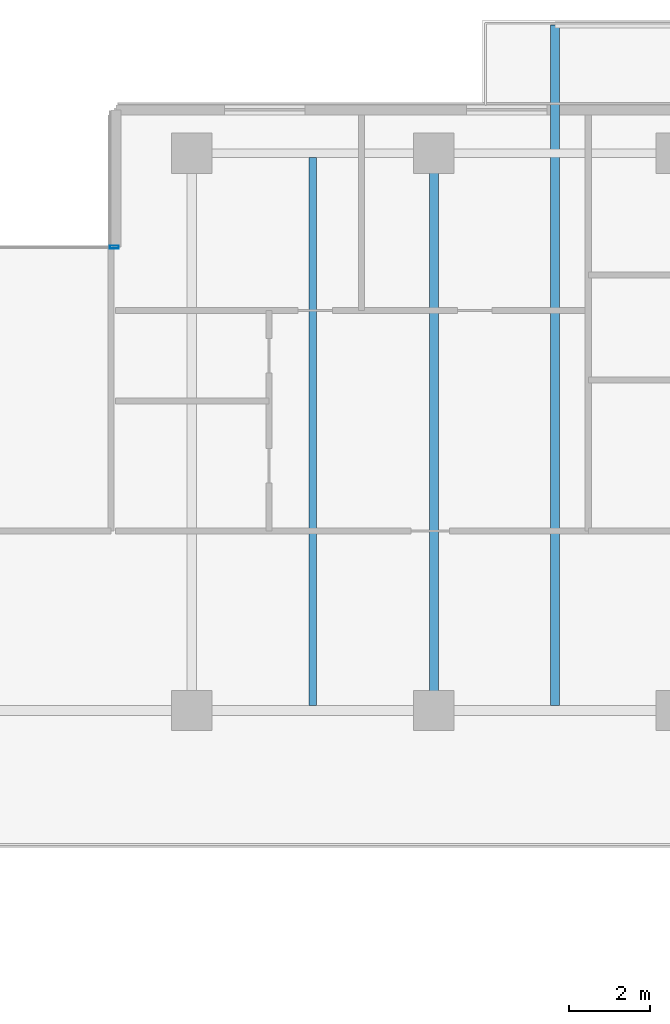
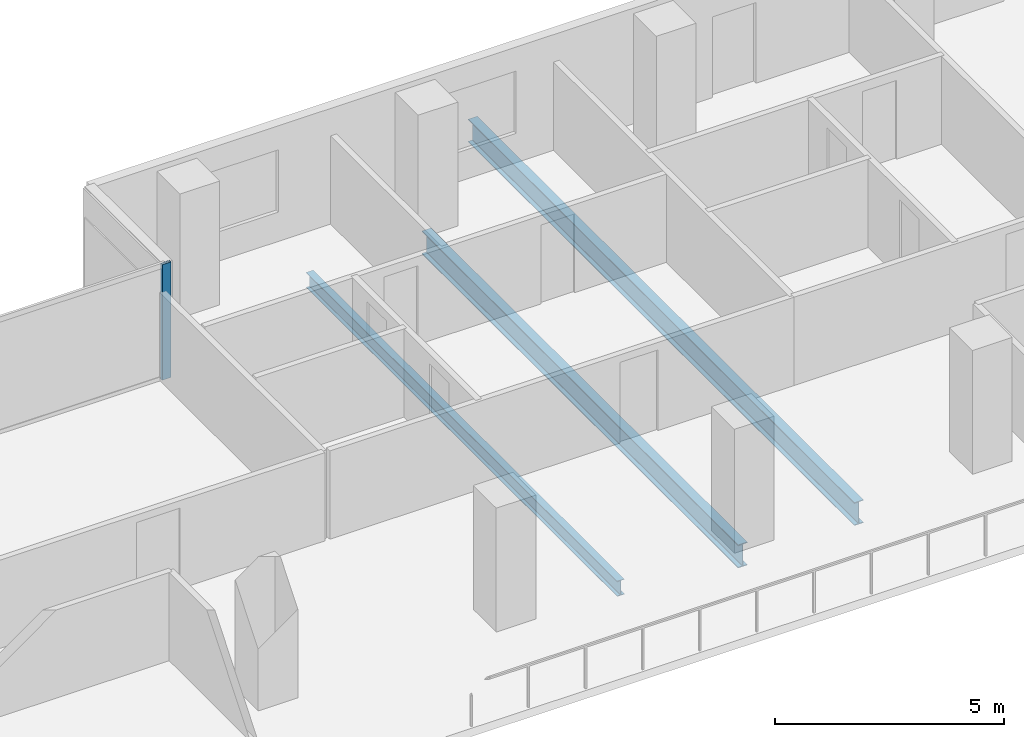
# One storey, part 8 of 23: 3 beams, 1 member, 1 element without a shape of its own.
"""IFC4 building model written with IfcOpenShell, lengths in metres."""

from ifc_helpers import new_model, si_unit, direction, frame, origin, origin_2d, place, context, subcontext, project, spatial, hollow_rectangle, i_section, extrude, material, layer, layer_set, material_profile, profile_set, type_object, element, aggregate, save


model = new_model("IFC4")

# Units and contexts
model_context = context("Model", 3, precision=1e-05, world=origin(), true_north=direction((0.0, 1.0)))
body_context = subcontext(model_context, "Body", "Model", "MODEL_VIEW")
ifc_project = project(units=[si_unit("LENGTHUNIT", "METRE"), si_unit("AREAUNIT", "SQUARE_METRE"), si_unit("VOLUMEUNIT", "CUBIC_METRE"), si_unit("PLANEANGLEUNIT", "RADIAN"), si_unit("MASSUNIT", "GRAM", prefix="KILO")], contexts=[model_context])

# Site, building, storey
site_placement = place(None, origin())
site = spatial("IfcSite", under=ifc_project, at=site_placement, CompositionType="ELEMENT")
building_placement = place(site_placement, origin())
building = spatial("IfcBuilding", under=site, at=building_placement, Name="Tanjung Sevakor Pilgrim Tower", CompositionType="ELEMENT")
storey_placement = place(building_placement, frame((0.0, 0.0, 85.469970703125)))
storey = spatial("IfcBuildingStorey", under=building, at=storey_placement, Name="L23", CompositionType="ELEMENT", Elevation=85.469970703125)

# Beams
ifc_material_1 = material(Name="Steel S355J2", Category="steel")
ifc_material_profile_1 = material_profile(ifc_material_1, i_section(OverallWidth=0.230224609375, OverallDepth=0.6171875, WebThickness=0.01318359375, FlangeThickness=0.022216796875, FilletRadius=0.0126953125, at=origin_2d()))
ifc_profile_set_1 = profile_set([ifc_material_profile_1], Name="Steel S355J2")
beam_type_1 = type_object("IfcBeamType", Name="BM-B-G3-UB_610x229x140", PredefinedType="BEAM", material=ifc_profile_set_1)
beam_1_placement = place(storey_placement, frame((60.0, 42.60009765625, -0.528564453125), z_axis=(0.0, 1.0, 0.0), x_axis=(-1.0, 0.0, 0.0)))
element("IfcBeam", 1, at=beam_1_placement, inside=storey, type_object=beam_type_1, Name="L23 MAIN Girder 017", PredefinedType="BEAM", context=body_context, shape_type="SweptSolid", body=[
    extrude(i_section(OverallWidth=0.230224609375, OverallDepth=0.6171875, WebThickness=0.01318359375, FlangeThickness=0.022216796875, FilletRadius=0.0126953125, at=origin_2d()), origin(), (0.0, 0.0, 1.0), 13.7998046875),
])
ifc_material_2 = material(Name="Steel S355J2", Category="steel")
ifc_material_profile_2 = material_profile(ifc_material_2, i_section(OverallWidth=0.22900390625, OverallDepth=0.6123046875, WebThickness=0.011962890625, FlangeThickness=0.01953125, FilletRadius=0.0126953125, at=origin_2d()))
ifc_profile_set_2 = profile_set([ifc_material_profile_2], Name="Steel S355J2")
beam_type_2 = type_object("IfcBeamType", Name="BM-B-G4-UB_610x229x125", PredefinedType="BEAM", material=ifc_profile_set_2)
beam_2_placement = place(storey_placement, frame((63.0, 42.727294921875, -0.526123046875), z_axis=(0.0, 1.0, 0.0), x_axis=(-1.0, 0.0, 0.0)))
element("IfcBeam", 2, at=beam_2_placement, inside=storey, type_object=beam_type_2, Name="L23 Balcony Cantilever Beam MAIN-N2-1", PredefinedType="BEAM", context=body_context, shape_type="SweptSolid", body=[
    extrude(i_section(OverallWidth=0.22900390625, OverallDepth=0.6123046875, WebThickness=0.011962890625, FlangeThickness=0.01953125, FilletRadius=0.0126953125, at=origin_2d()), origin(), (0.0, 0.0, 1.0), 16.852783203125),
])
ifc_material_3 = material(Name="Steel S355J2", Category="steel")
ifc_material_profile_3 = material_profile(ifc_material_3, i_section(OverallWidth=0.1787109375, OverallDepth=0.409423828125, WebThickness=0.0087890625, FlangeThickness=0.014404296875, FilletRadius=0.01025390625, at=origin_2d()))
ifc_profile_set_3 = profile_set([ifc_material_profile_3], Name="Steel S355J2")
beam_type_3 = type_object("IfcBeamType", Name="BM-B-J3-UB_406x178x67", PredefinedType="JOIST", material=ifc_profile_set_3)
beam_3_placement = place(storey_placement, frame((57.0, 42.727294921875, -0.424560546875), z_axis=(0.0, 1.0, 0.0), x_axis=(-1.0, 0.0, 0.0)))
element("IfcBeam", 3, at=beam_3_placement, inside=storey, type_object=beam_type_3, Name="L23 MAIN Joist 015", PredefinedType="JOIST", context=body_context, shape_type="SweptSolid", body=[
    extrude(i_section(OverallWidth=0.1787109375, OverallDepth=0.409423828125, WebThickness=0.0087890625, FlangeThickness=0.014404296875, FilletRadius=0.01025390625, at=origin_2d()), origin(), (0.0, 0.0, 1.0), 13.57275390625),
])

# Curtain wall, member
ifc_material_4 = material(Name="Aluminium 6063-T6 and Low-E Glass", Category="aluminium")
ifc_layer = layer(ifc_material_4, 0.179931640625)
ifc_layer_set = layer_set([ifc_layer], Name="CW-SYS-CLEFT")
curtain_wall_type = type_object("IfcCurtainWallType", Name="CW-SYS-CLEFT", PredefinedType="NOTDEFINED", material=ifc_layer_set)
curtain_wall_placement = place(storey_placement, origin())
curtain_wall = element("IfcCurtainWall", 4, at=curtain_wall_placement, inside=storey, type_object=curtain_wall_type, Name="L23 Curtain Wall CW-CLF-L23-10", PredefinedType="NOTDEFINED")
ifc_material_5 = material(Name="Aluminium 6063-T6", Category="aluminium")
ifc_material_profile_4 = material_profile(ifc_material_5, hollow_rectangle(XDim=0.074951171875, YDim=0.219970703125, WallThickness=0.0048828125, at=origin_2d()))
ifc_profile_set_4 = profile_set([ifc_material_profile_4], Name="Aluminium 6063-T6")
member_type = type_object("IfcMemberType", Name="TYPE-CWM-2", PredefinedType="MULLION", material=ifc_profile_set_4)
member_placement = place(storey_placement, frame((52.08740234375, 54.074951171875, 0.0), z_axis=(0.0, 0.0, 1.0), x_axis=(0.0, -1.0, 0.0)))
member = element("IfcMember", 5, at=member_placement, type_object=member_type, Name="CW-CLF mullion 1", PredefinedType="MULLION", context=body_context, shape_type="SweptSolid", body=[
    extrude(hollow_rectangle(XDim=0.074951171875, YDim=0.219970703125, WallThickness=0.0048828125, at=origin_2d()), origin(), (0.0, 0.0, 1.0), 3.080078125),
])
aggregate(curtain_wall, [member])

save(model, "model.ifc")
